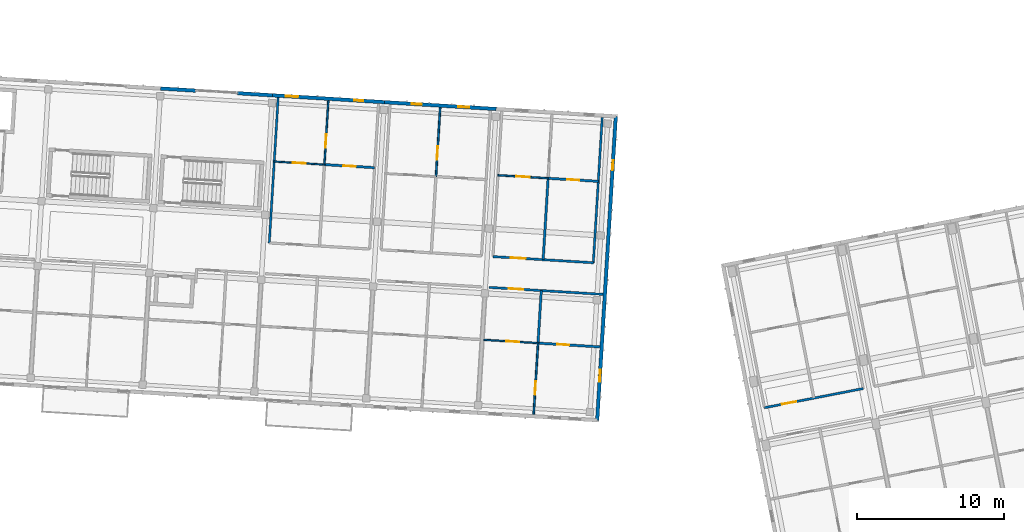
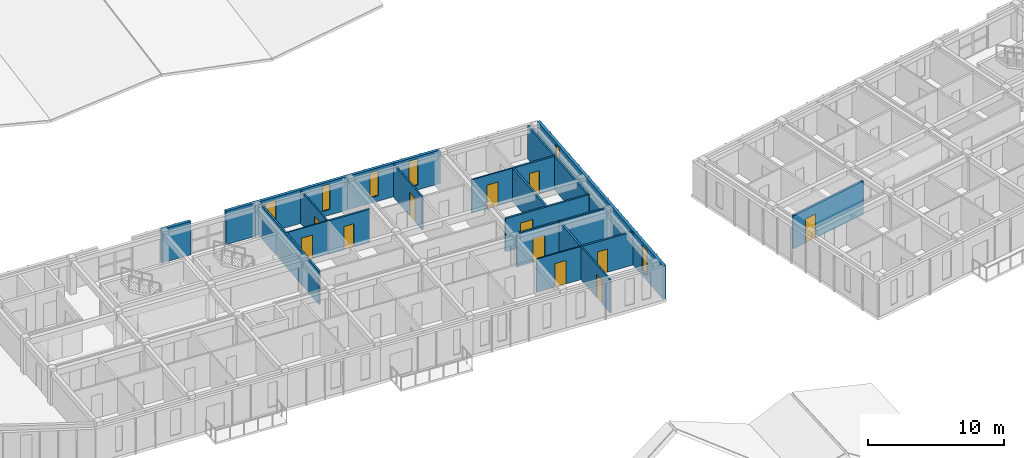
# One storey, part 23 of 74: 21 walls, 12 doors, 6 windows, 18 openings.
"""IFC4 building model written with IfcOpenShell, lengths in metres."""

from ifc_helpers import new_model, si_unit, direction, frame, frame_2d, origin, place, context, subcontext, project, spatial, rectangle, extrude, material, layer, layer_set, type_object, element, fill, save


model = new_model("IFC4")

# Units and contexts
model_context = context("Model", 3, precision=1e-05, world=origin(), true_north=direction((0.0, 1.0)))
body_context = subcontext(model_context, "Body", "Model", "MODEL_VIEW")
ifc_project = project(units=[si_unit("LENGTHUNIT", "METRE"), si_unit("AREAUNIT", "SQUARE_METRE"), si_unit("VOLUMEUNIT", "CUBIC_METRE"), si_unit("PLANEANGLEUNIT", "RADIAN"), si_unit("MASSUNIT", "GRAM", prefix="KILO")], contexts=[model_context])

# Site, building, storey
site_placement = place(None, origin())
site = spatial("IfcSite", under=ifc_project, at=site_placement, CompositionType="ELEMENT")
building_placement = place(site_placement, origin())
building = spatial("IfcBuilding", under=site, at=building_placement, Name="Kestramere Prow Commons", CompositionType="ELEMENT")
storey_placement = place(building_placement, frame((0.0, 0.0, 11.64990234375)))
storey = spatial("IfcBuildingStorey", under=building, at=storey_placement, Name="L03", CompositionType="ELEMENT", Elevation=11.64990234375)

# Walls
ifc_material_1 = material(Name="Fluoropolymer Standing-Seam Zinc-Aluminium Cladding", Category="aluminium")
ifc_layer_1 = layer(ifc_material_1, 0.239990234375)
ifc_layer_set_1 = layer_set([ifc_layer_1], Name="Fluoropolymer Standing-Seam Zinc-Aluminium Cladding")
wall_type_1 = type_object("IfcWallType", Name="EW-SEAM-240", PredefinedType="SOLIDWALL", material=ifc_layer_set_1)
for number, where, z_axis, x_axis, name in (
    (1, (75.900146484375, 65.659423828125, 0.0), (0.0, 0.0, 1.0), (0.998140363035, -0.06095749076, 0.0), "Block C L03 North Standing-Seam Pier 3L"),
    (2, (81.115478515625, 65.340576171875, 0.0), (0.0, 0.0, 1.0), (0.998134103342, -0.061059902923, 0.0), "Block C L03 North Standing-Seam Pier 3R"),
):
    element("IfcWall", number, at=place(storey_placement, frame(where, z_axis=z_axis, x_axis=x_axis)), inside=storey, type_object=wall_type_1, Name=name, PredefinedType="SOLIDWALL", context=body_context, shape_type="SweptSolid", body=[
        extrude(rectangle(XDim=2.375, YDim=0.239990234375, at=frame_2d((1.1875, 0.0))), origin(), (0.0, 0.0, 1.0), 3.0),
    ])

# Wall, openings, windows
wall_1_placement = place(storey_placement, frame((83.486083984375, 65.195556640625, 0.0), z_axis=(0.0, 0.0, 1.0), x_axis=(0.998135669243, -0.061034300063, 0.0)))
wall_1 = element("IfcWall", 3, at=wall_1_placement, inside=storey, type_object=wall_type_1, Name="Block C L03 North Standing-Seam Wall 4", PredefinedType="SOLIDWALL", context=body_context, shape_type="SweptSolid", body=[
    extrude(rectangle(XDim=7.60009765625, YDim=0.239990234375, at=frame_2d((3.800048828125, 0.0))), origin(), (0.0, 0.0, 1.0), 3.0),
])
opening_1_placement = place(wall_1_placement, frame((0.8896484375, 0.0, 0.43994140625)))
opening_1 = element("IfcOpeningElement", 4, at=opening_1_placement, cuts=wall_1, Name="Opening WN-14", PredefinedType="OPENING", context=body_context, shape_type="SweptSolid", body=[
    extrude(rectangle(XDim=0.840087890625, YDim=2.280029296875, at=frame_2d((0.419921875, 1.14013671875))), frame((0.0, 0.135009765625, 0.0), z_axis=(0.0, -1.0, 0.0), x_axis=(1.0, 0.0, 0.0)), (0.0, 0.0, 1.0), 0.27001953125),
])
opening_2_placement = place(wall_1_placement, frame((5.5458984375, 0.0, 0.5)))
opening_2 = element("IfcOpeningElement", 5, at=opening_2_placement, cuts=wall_1, Name="Opening WN-03", PredefinedType="OPENING", context=body_context, shape_type="SweptSolid", body=[
    extrude(rectangle(XDim=0.6201171875, YDim=2.280029296875, at=frame_2d((0.31005859375, 1.14013671875))), frame((0.0, 0.135009765625, 0.0), z_axis=(0.0, -1.0, 0.0), x_axis=(1.0, 0.0, 0.0)), (0.0, 0.0, 1.0), 0.27001953125),
])
ifc_material_2 = material(Name="Low-E Laminated Double Glazing", Category="glass")
window_type_1 = type_object("IfcWindowType", Name="WN-NAR-620A", PartitioningType="SINGLE_PANEL", PredefinedType="WINDOW", material=ifc_material_2)
window_1_placement = place(opening_2_placement, origin())
window_1 = element("IfcWindow", 6, at=window_1_placement, inside=storey, type_object=window_type_1, Name="WN-C-L03-N-3-1", OverallHeight=2.280029296875, OverallWidth=0.6201171875, PartitioningType="SINGLE_PANEL", PredefinedType="WINDOW", context=body_context, shape_type="SweptSolid", body=[
    extrude(rectangle(XDim=0.6201171875, YDim=2.280029296875, at=frame_2d((0.31005859375, 1.14013671875))), frame((0.0, 0.030029296875, 0.0), z_axis=(0.0, -1.0, 0.0), x_axis=(1.0, 0.0, 0.0)), (0.0, 0.0, 1.0), 0.06005859375),
])
fill(opening_2, window_1)
window_type_2 = type_object("IfcWindowType", Name="WN-NAR-840A", PartitioningType="DOUBLE_PANEL_VERTICAL", PredefinedType="WINDOW", material=ifc_material_2)
window_2_placement = place(opening_1_placement, origin())
window_2 = element("IfcWindow", 7, at=window_2_placement, inside=storey, type_object=window_type_2, Name="WN-C-L03-N-3-0", OverallHeight=2.280029296875, OverallWidth=0.840087890625, PartitioningType="SINGLE_PANEL", PredefinedType="WINDOW", context=body_context, shape_type="SweptSolid", body=[
    extrude(rectangle(XDim=0.840087890625, YDim=2.280029296875, at=frame_2d((0.419921875, 1.14013671875))), frame((0.0, 0.030029296875, 0.0), z_axis=(0.0, -1.0, 0.0), x_axis=(1.0, 0.0, 0.0)), (0.0, 0.0, 1.0), 0.06005859375),
])
fill(opening_1, window_2)

wall_2_placement = place(storey_placement, frame((91.072021484375, 64.731689453125, 0.0), z_axis=(0.0, 0.0, 1.0), x_axis=(0.998133591969, -0.061068261669, 0.0)))
wall_2 = element("IfcWall", 8, at=wall_2_placement, inside=storey, type_object=wall_type_1, Name="Block C L03 North Standing-Seam Wall 5", PredefinedType="SOLIDWALL", context=body_context, shape_type="SweptSolid", body=[
    extrude(rectangle(XDim=7.599853515625, YDim=0.239990234375, at=frame_2d((3.7998046875, 0.0))), origin(), (0.0, 0.0, 1.0), 3.0),
])
opening_3_placement = place(wall_2_placement, frame((1.854248046875, 0.0, 0.5)))
opening_3 = element("IfcOpeningElement", 9, at=opening_3_placement, cuts=wall_2, Name="Opening WN-06", PredefinedType="OPENING", context=body_context, shape_type="SweptSolid", body=[
    extrude(rectangle(XDim=0.679931640625, YDim=2.239990234375, at=frame_2d((0.33984375, 1.1201171875))), frame((0.0, 0.135009765625, 0.0), z_axis=(0.0, -1.0, 0.0), x_axis=(1.0, 0.0, 0.0)), (0.0, 0.0, 1.0), 0.27001953125),
])
opening_4_placement = place(wall_2_placement, frame((5.017578125, 0.0, 0.43994140625)))
opening_4 = element("IfcOpeningElement", 10, at=opening_4_placement, cuts=wall_2, Name="Opening WN-10", PredefinedType="OPENING", context=body_context, shape_type="SweptSolid", body=[
    extrude(rectangle(XDim=0.760009765625, YDim=2.340087890625, at=frame_2d((0.3798828125, 1.169921875))), frame((0.0, 0.135009765625, 0.0), z_axis=(0.0, -1.0, 0.0), x_axis=(1.0, 0.0, 0.0)), (0.0, 0.0, 1.0), 0.27001953125),
])
window_type_3 = type_object("IfcWindowType", Name="WN-NAR-680A", PartitioningType="SINGLE_PANEL", PredefinedType="WINDOW", material=ifc_material_2)
window_3_placement = place(opening_3_placement, origin())
window_3 = element("IfcWindow", 11, at=window_3_placement, inside=storey, type_object=window_type_3, Name="WN-C-L03-N-4-0", OverallHeight=2.239990234375, OverallWidth=0.679931640625, PartitioningType="SINGLE_PANEL", PredefinedType="WINDOW", context=body_context, shape_type="SweptSolid", body=[
    extrude(rectangle(XDim=0.679931640625, YDim=2.239990234375, at=frame_2d((0.33984375, 1.1201171875))), frame((0.0, 0.030029296875, 0.0), z_axis=(0.0, -1.0, 0.0), x_axis=(1.0, 0.0, 0.0)), (0.0, 0.0, 1.0), 0.06005859375),
])
fill(opening_3, window_3)
window_type_4 = type_object("IfcWindowType", Name="WN-NAR-760A", PartitioningType="SINGLE_PANEL", PredefinedType="WINDOW", material=ifc_material_2)
window_4_placement = place(opening_4_placement, origin())
window_4 = element("IfcWindow", 12, at=window_4_placement, inside=storey, type_object=window_type_4, Name="WN-C-L03-N-4-1", OverallHeight=2.340087890625, OverallWidth=0.760009765625, PartitioningType="SINGLE_PANEL", PredefinedType="WINDOW", context=body_context, shape_type="SweptSolid", body=[
    extrude(rectangle(XDim=0.760009765625, YDim=2.340087890625, at=frame_2d((0.3798828125, 1.169921875))), frame((0.0, 0.030029296875, 0.0), z_axis=(0.0, -1.0, 0.0), x_axis=(1.0, 0.0, 0.0)), (0.0, 0.0, 1.0), 0.06005859375),
])
fill(opening_4, window_4)

wall_3_placement = place(storey_placement, frame((106.767578125, 63.771484375, 0.0), z_axis=(0.0, 0.0, 1.0), x_axis=(-0.061053332998, -0.99813450523, 0.0)))
wall_3 = element("IfcWall", 13, at=wall_3_placement, inside=storey, type_object=wall_type_1, Name="Block C L03 EAV Facet Wall", PredefinedType="SOLIDWALL", context=body_context, shape_type="SweptSolid", body=[
    extrude(rectangle(XDim=20.64990234375, YDim=0.239990234375, at=frame_2d((10.324951171875, 0.0))), origin(), (0.0, 0.0, 1.0), 3.0),
])
opening_5_placement = place(wall_3_placement, frame((2.989990234375, 0.0, 0.52001953125)))
opening_5 = element("IfcOpeningElement", 14, at=opening_5_placement, cuts=wall_3, Name="Opening WN-05", PredefinedType="OPENING", context=body_context, shape_type="SweptSolid", body=[
    extrude(rectangle(XDim=0.659912109375, YDim=2.320068359375, at=frame_2d((0.330078125, 1.16015625))), frame((0.0, 0.135009765625, 0.0), z_axis=(0.0, -1.0, 0.0), x_axis=(1.0, 0.0, 0.0)), (0.0, 0.0, 1.0), 0.27001953125),
])
opening_6_placement = place(wall_3_placement, frame((17.219970703125, 0.0, 0.449951171875)))
opening_6 = element("IfcOpeningElement", 15, at=opening_6_placement, cuts=wall_3, Name="Opening WN-12", PredefinedType="OPENING", context=body_context, shape_type="SweptSolid", body=[
    extrude(rectangle(XDim=0.800048828125, YDim=2.300048828125, at=frame_2d((0.39990234375, 1.14990234375))), frame((0.0, 0.135009765625, 0.0), z_axis=(0.0, -1.0, 0.0), x_axis=(1.0, 0.0, 0.0)), (0.0, 0.0, 1.0), 0.27001953125),
])
window_type_5 = type_object("IfcWindowType", Name="WN-NAR-660A", PartitioningType="SINGLE_PANEL", PredefinedType="WINDOW", material=ifc_material_2)
window_5_placement = place(opening_5_placement, origin())
window_5 = element("IfcWindow", 16, at=window_5_placement, inside=storey, type_object=window_type_5, Name="WN-C-L03-EAV-0", OverallHeight=2.320068359375, OverallWidth=0.659912109375, PartitioningType="SINGLE_PANEL", PredefinedType="WINDOW", context=body_context, shape_type="SweptSolid", body=[
    extrude(rectangle(XDim=0.659912109375, YDim=2.320068359375, at=frame_2d((0.330078125, 1.16015625))), frame((0.0, 0.030029296875, 0.0), z_axis=(0.0, -1.0, 0.0), x_axis=(1.0, 0.0, 0.0)), (0.0, 0.0, 1.0), 0.06005859375),
])
fill(opening_5, window_5)
window_type_6 = type_object("IfcWindowType", Name="WN-NAR-800A", PartitioningType="SINGLE_PANEL", PredefinedType="WINDOW", material=ifc_material_2)
window_6_placement = place(opening_6_placement, origin())
window_6 = element("IfcWindow", 17, at=window_6_placement, inside=storey, type_object=window_type_6, Name="WN-C-L03-EAV-1", OverallHeight=2.300048828125, OverallWidth=0.800048828125, PartitioningType="SINGLE_PANEL", PredefinedType="WINDOW", context=body_context, shape_type="SweptSolid", body=[
    extrude(rectangle(XDim=0.800048828125, YDim=2.300048828125, at=frame_2d((0.39990234375, 1.14990234375))), frame((0.0, 0.030029296875, 0.0), z_axis=(0.0, -1.0, 0.0), x_axis=(1.0, 0.0, 0.0)), (0.0, 0.0, 1.0), 0.06005859375),
])
fill(opening_6, window_6)

# Wall, opening, door
ifc_material_3 = material(Name="Fire-Rated Calcium Silicate Wall")
ifc_layer_2 = layer(ifc_material_3, 0.155029296875)
ifc_layer_set_2 = layer_set([ifc_layer_2], Name="Fire-Rated Calcium Silicate Wall")
wall_type_2 = type_object("IfcWallType", Name="W-FIRE-150", PredefinedType="PARTITIONING", material=ifc_layer_set_2)
wall_4_placement = place(storey_placement, frame((98.17822265625, 52.16943359375, 0.0), z_axis=(0.0, 0.0, 1.0), x_axis=(0.998133272394, -0.061073484761, 0.0)))
wall_4 = element("IfcWall", 18, at=wall_4_placement, inside=storey, type_object=wall_type_2, Name="Interior Partition PW-C-L03-CS-5", PredefinedType="PARTITIONING", context=body_context, shape_type="SweptSolid", body=[
    extrude(rectangle(XDim=7.735107421875, YDim=0.155029296875, at=frame_2d((3.86767578125, 0.0))), origin(), (0.0, 0.0, 1.0), 2.97021484375),
])
opening_7_placement = place(wall_4_placement, frame((1.330078125, 0.0, 0.0)))
opening_7 = element("IfcOpeningElement", 19, at=opening_7_placement, cuts=wall_4, Name="Opening ID-04", PredefinedType="OPENING", context=body_context, shape_type="SweptSolid", body=[
    extrude(rectangle(XDim=0.97998046875, YDim=2.14990234375, at=frame_2d((0.489990234375, 1.074951171875))), frame((0.0, 0.092529296875, 0.0), z_axis=(0.0, -1.0, 0.0), x_axis=(1.0, 0.0, 0.0)), (0.0, 0.0, 1.0), 0.18505859375),
])
ifc_material_4 = material(Name="Hardwood Fire-Rated Flat Entrance Door", Category="wood")
door_type_1 = type_object("IfcDoorType", Name="FD-ENT-01", OperationType="NOTDEFINED", PredefinedType="DOOR", material=ifc_material_4)
door_1_placement = place(opening_7_placement, origin())
door_1 = element("IfcDoor", 20, at=door_1_placement, inside=storey, type_object=door_type_1, Name="Interior Door DR-C-L03-ENT-S5", OperationType="SINGLE_SWING_LEFT", OverallHeight=2.14990234375, OverallWidth=0.97998046875, PredefinedType="DOOR", context=body_context, shape_type="SweptSolid", body=[
    extrude(rectangle(XDim=0.97998046875, YDim=2.14990234375, at=frame_2d((0.489990234375, 1.074951171875))), frame((0.0, 0.02490234375, 0.0), z_axis=(0.0, -1.0, 0.0), x_axis=(1.0, 0.0, 0.0)), (0.0, 0.0, 1.0), 0.050048828125),
])
fill(opening_7, door_1)

wall_5_placement = place(storey_placement, frame((98.436279296875, 54.257568359375, 0.0), z_axis=(0.0, 0.0, 1.0), x_axis=(0.998133350094, -0.061072214879, 0.0)))
wall_5 = element("IfcWall", 21, at=wall_5_placement, inside=storey, type_object=wall_type_2, Name="Interior Partition PW-C-L03-CN-5", PredefinedType="PARTITIONING", context=body_context, shape_type="SweptSolid", body=[
    extrude(rectangle(XDim=6.81982421875, YDim=0.155029296875, at=frame_2d((3.409912109375, 0.0))), origin(), (0.0, 0.0, 1.0), 2.97021484375),
])
opening_8_placement = place(wall_5_placement, frame((1.205078125, 0.0, 0.0)))
opening_8 = element("IfcOpeningElement", 22, at=opening_8_placement, cuts=wall_5, Name="Opening ID-05", PredefinedType="OPENING", context=body_context, shape_type="SweptSolid", body=[
    extrude(rectangle(XDim=1.02001953125, YDim=2.199951171875, at=frame_2d((0.510009765625, 1.10009765625))), frame((0.0, 0.092529296875, 0.0), z_axis=(0.0, -1.0, 0.0), x_axis=(1.0, 0.0, 0.0)), (0.0, 0.0, 1.0), 0.18505859375),
])
door_type_2 = type_object("IfcDoorType", Name="FD-ENT-02", OperationType="NOTDEFINED", PredefinedType="DOOR", material=ifc_material_4)
door_2_placement = place(opening_8_placement, origin())
door_2 = element("IfcDoor", 23, at=door_2_placement, inside=storey, type_object=door_type_2, Name="Interior Door DR-C-L03-ENT-N5", OperationType="SINGLE_SWING_RIGHT", OverallHeight=2.199951171875, OverallWidth=1.02001953125, PredefinedType="DOOR", context=body_context, shape_type="SweptSolid", body=[
    extrude(rectangle(XDim=1.02001953125, YDim=2.199951171875, at=frame_2d((0.510009765625, 1.10009765625))), frame((0.0, 0.02490234375, 0.0), z_axis=(0.0, -1.0, 0.0), x_axis=(1.0, 0.0, 0.0)), (0.0, 0.0, 1.0), 0.050048828125),
])
fill(opening_8, door_2)

wall_6_placement = place(storey_placement, frame((116.851806640625, 44.008544921875, 0.0), z_axis=(0.0, 0.0, 1.0), x_axis=(0.981629173664, 0.190798756314, 0.0)))
wall_6 = element("IfcWall", 24, at=wall_6_placement, inside=storey, type_object=wall_type_2, Name="Interior Partition PW-D-L03-CN-0", PredefinedType="PARTITIONING", context=body_context, shape_type="SweptSolid", body=[
    extrude(rectangle(XDim=6.820068359375, YDim=0.155029296875, at=frame_2d((3.41015625, 0.0))), origin(), (0.0, 0.0, 1.0), 2.97021484375),
])
opening_9_placement = place(wall_6_placement, frame((1.205078125, 0.0, 0.0)))
opening_9 = element("IfcOpeningElement", 25, at=opening_9_placement, cuts=wall_6, Name="Opening ID-04", PredefinedType="OPENING", context=body_context, shape_type="SweptSolid", body=[
    extrude(rectangle(XDim=0.97998046875, YDim=2.14990234375, at=frame_2d((0.489990234375, 1.074951171875))), frame((0.0, 0.092529296875, 0.0), z_axis=(0.0, -1.0, 0.0), x_axis=(1.0, 0.0, 0.0)), (0.0, 0.0, 1.0), 0.18505859375),
])
door_3_placement = place(opening_9_placement, origin())
door_3 = element("IfcDoor", 26, at=door_3_placement, inside=storey, type_object=door_type_1, Name="Interior Door DR-D-L03-ENT-N0", OperationType="SINGLE_SWING_RIGHT", OverallHeight=2.14990234375, OverallWidth=0.97998046875, PredefinedType="DOOR", context=body_context, shape_type="SweptSolid", body=[
    extrude(rectangle(XDim=0.97998046875, YDim=2.14990234375, at=frame_2d((0.489990234375, 1.074951171875))), frame((0.0, 0.02490234375, 0.0), z_axis=(0.0, -1.0, 0.0), x_axis=(1.0, 0.0, 0.0)), (0.0, 0.0, 1.0), 0.050048828125),
])
fill(opening_9, door_3)

ifc_material_5 = material(Name="Gypsum Acoustic Drywall")
ifc_layer_3 = layer(ifc_material_5, 0.10009765625)
ifc_layer_set_3 = layer_set([ifc_layer_3], Name="Gypsum Acoustic Drywall")
wall_type_3 = type_object("IfcWallType", Name="W-PART-100", PredefinedType="PARTITIONING", material=ifc_layer_set_3)
wall_7_placement = place(storey_placement, frame((97.815673828125, 48.61474609375, 0.0), z_axis=(0.0, 0.0, 1.0), x_axis=(0.998136472989, -0.061021154439, 0.0)))
wall_7 = element("IfcWall", 27, at=wall_7_placement, inside=storey, type_object=wall_type_3, Name="Interior Partition PW-C-L03-MIDS1-5", PredefinedType="PARTITIONING", context=body_context, shape_type="SweptSolid", body=[
    extrude(rectangle(XDim=3.684814453125, YDim=0.10009765625, at=frame_2d((1.84228515625, 0.0))), origin(), (0.0, 0.0, 1.0), 2.97021484375),
])
opening_10_placement = place(wall_7_placement, frame((1.52490234375, 0.0, 0.0)))
opening_10 = element("IfcOpeningElement", 28, at=opening_10_placement, cuts=wall_7, Name="Opening ID-10", PredefinedType="OPENING", context=body_context, shape_type="SweptSolid", body=[
    extrude(rectangle(XDim=0.8798828125, YDim=2.10009765625, at=frame_2d((0.43994140625, 1.050048828125))), frame((0.0, 0.06494140625, 0.0), z_axis=(0.0, -1.0, 0.0), x_axis=(1.0, 0.0, 0.0)), (0.0, 0.0, 1.0), 0.130126953125),
])
ifc_material_6 = material(Name="Engineered Timber Bedroom Door", Category="wood")
door_type_3 = type_object("IfcDoorType", Name="D-RM-03", OperationType="NOTDEFINED", PredefinedType="DOOR", material=ifc_material_6)
door_4_placement = place(opening_10_placement, origin())
door_4 = element("IfcDoor", 29, at=door_4_placement, inside=storey, type_object=door_type_3, Name="Interior Door DR-C-L03-KL-S5", OperationType="SINGLE_SWING_RIGHT", OverallHeight=2.10009765625, OverallWidth=0.8798828125, PredefinedType="DOOR", context=body_context, shape_type="SweptSolid", body=[
    extrude(rectangle(XDim=0.8798828125, YDim=2.10009765625, at=frame_2d((0.43994140625, 1.050048828125))), frame((0.0, 0.02490234375, 0.0), z_axis=(0.0, -1.0, 0.0), x_axis=(1.0, 0.0, 0.0)), (0.0, 0.0, 1.0), 0.050048828125),
])
fill(opening_10, door_4)

ifc_layer_4 = layer(ifc_material_5, 0.110107421875)
ifc_layer_set_4 = layer_set([ifc_layer_4], Name="Gypsum Acoustic Drywall")
wall_type_4 = type_object("IfcWallType", Name="W-PART-110", PredefinedType="PARTITIONING", material=ifc_layer_set_4)
wall_8_placement = place(storey_placement, frame((87.005859375, 60.496826171875, 0.0), z_axis=(0.0, 0.0, 1.0), x_axis=(0.06103343432, 0.998135722182, 0.0)))
wall_8 = element("IfcWall", 30, at=wall_8_placement, inside=storey, type_object=wall_type_4, Name="Interior Partition PW-C-L03-LB-N3", PredefinedType="PARTITIONING", context=body_context, shape_type="SweptSolid", body=[
    extrude(rectangle(XDim=4.340087890625, YDim=0.110107421875, at=frame_2d((2.169921875, 0.0))), origin(), (0.0, 0.0, 1.0), 2.97021484375),
])
opening_11_placement = place(wall_8_placement, frame((1.14990234375, 0.0, 0.0)))
opening_11 = element("IfcOpeningElement", 31, at=opening_11_placement, cuts=wall_8, Name="Opening ID-08", PredefinedType="OPENING", context=body_context, shape_type="SweptSolid", body=[
    extrude(rectangle(XDim=0.89990234375, YDim=2.10009765625, at=frame_2d((0.449951171875, 1.050048828125))), frame((0.0, 0.070068359375, 0.0), z_axis=(0.0, -1.0, 0.0), x_axis=(1.0, 0.0, 0.0)), (0.0, 0.0, 1.0), 0.14013671875),
])
ifc_material_7 = material(Name="Engineered Timber Flush Door", Category="wood")
door_type_4 = type_object("IfcDoorType", Name="D-RM-01", OperationType="NOTDEFINED", PredefinedType="DOOR", material=ifc_material_7)
door_5_placement = place(opening_11_placement, origin())
door_5 = element("IfcDoor", 32, at=door_5_placement, inside=storey, type_object=door_type_4, Name="Interior Door DR-C-L03-BED-N3", OperationType="SINGLE_SWING_LEFT", OverallHeight=2.10009765625, OverallWidth=0.89990234375, PredefinedType="DOOR", context=body_context, shape_type="SweptSolid", body=[
    extrude(rectangle(XDim=0.89990234375, YDim=2.10009765625, at=frame_2d((0.449951171875, 1.050048828125))), frame((0.0, 0.02490234375, 0.0), z_axis=(0.0, -1.0, 0.0), x_axis=(1.0, 0.0, 0.0)), (0.0, 0.0, 1.0), 0.050048828125),
])
fill(opening_11, door_5)

wall_9_placement = place(storey_placement, frame((98.77392578125, 59.777099609375, 0.0), z_axis=(0.0, 0.0, 1.0), x_axis=(0.998137711988, -0.061000884486, 0.0)))
wall_9 = element("IfcWall", 33, at=wall_9_placement, inside=storey, type_object=wall_type_4, Name="Interior Partition PW-C-L03-MIDN1-5", PredefinedType="PARTITIONING", context=body_context, shape_type="SweptSolid", body=[
    extrude(rectangle(XDim=3.409912109375, YDim=0.110107421875, at=frame_2d((1.705078125, 0.0))), origin(), (0.0, 0.0, 1.0), 2.97021484375),
])
opening_12_placement = place(wall_9_placement, frame((1.2548828125, 0.0, 0.0)))
opening_12 = element("IfcOpeningElement", 34, at=opening_12_placement, cuts=wall_9, Name="Opening ID-08", PredefinedType="OPENING", context=body_context, shape_type="SweptSolid", body=[
    extrude(rectangle(XDim=0.89990234375, YDim=2.10009765625, at=frame_2d((0.449951171875, 1.050048828125))), frame((0.0, 0.070068359375, 0.0), z_axis=(0.0, -1.0, 0.0), x_axis=(1.0, 0.0, 0.0)), (0.0, 0.0, 1.0), 0.14013671875),
])
door_6_placement = place(opening_12_placement, origin())
door_6 = element("IfcDoor", 35, at=door_6_placement, inside=storey, type_object=door_type_4, Name="Interior Door DR-C-L03-KL-N5", OperationType="SINGLE_SWING_LEFT", OverallHeight=2.10009765625, OverallWidth=0.89990234375, PredefinedType="DOOR", context=body_context, shape_type="SweptSolid", body=[
    extrude(rectangle(XDim=0.89990234375, YDim=2.10009765625, at=frame_2d((0.449951171875, 1.050048828125))), frame((0.0, 0.02490234375, 0.0), z_axis=(0.0, -1.0, 0.0), x_axis=(1.0, 0.0, 0.0)), (0.0, 0.0, 1.0), 0.050048828125),
])
fill(opening_12, door_6)

ifc_material_8 = material(Name="Lightweight Blockwork and Plaster", Category="masonry")
ifc_layer_5 = layer(ifc_material_8, 0.1201171875)
ifc_layer_set_5 = layer_set([ifc_layer_5], Name="Lightweight Blockwork and Plaster")
wall_type_5 = type_object("IfcWallType", Name="W-PART-120", PredefinedType="PARTITIONING", material=ifc_layer_set_5)
wall_10_placement = place(storey_placement, frame((101.1982421875, 43.558837890625, 0.0), z_axis=(0.0, 0.0, 1.0), x_axis=(0.061034170677, 0.998135677155, 0.0)))
wall_10 = element("IfcWall", 36, at=wall_10_placement, inside=storey, type_object=wall_type_5, Name="Interior Partition PW-C-L03-LB-S5", PredefinedType="PARTITIONING", context=body_context, shape_type="SweptSolid", body=[
    extrude(rectangle(XDim=4.840087890625, YDim=0.1201171875, at=frame_2d((2.419921875, 0.0))), origin(), (0.0, 0.0, 1.0), 2.97021484375),
])
opening_13_placement = place(wall_10_placement, frame((1.35009765625, 0.0, 0.0)))
opening_13 = element("IfcOpeningElement", 37, at=opening_13_placement, cuts=wall_10, Name="Opening ID-08", PredefinedType="OPENING", context=body_context, shape_type="SweptSolid", body=[
    extrude(rectangle(XDim=0.89990234375, YDim=2.10009765625, at=frame_2d((0.449951171875, 1.050048828125))), frame((0.0, 0.074951171875, 0.0), z_axis=(0.0, -1.0, 0.0), x_axis=(1.0, 0.0, 0.0)), (0.0, 0.0, 1.0), 0.150146484375),
])
door_7_placement = place(opening_13_placement, origin())
door_7 = element("IfcDoor", 38, at=door_7_placement, inside=storey, type_object=door_type_4, Name="Interior Door DR-C-L03-BED-S5", OperationType="SINGLE_SWING_RIGHT", OverallHeight=2.10009765625, OverallWidth=0.89990234375, PredefinedType="DOOR", context=body_context, shape_type="SweptSolid", body=[
    extrude(rectangle(XDim=0.89990234375, YDim=2.10009765625, at=frame_2d((0.449951171875, 1.050048828125))), frame((0.0, 0.02490234375, 0.0), z_axis=(0.0, -1.0, 0.0), x_axis=(1.0, 0.0, 0.0)), (0.0, 0.0, 1.0), 0.050048828125),
])
fill(opening_13, door_7)

wall_11_placement = place(storey_placement, frame((94.5703125, 59.68359375, 0.0), z_axis=(0.0, 0.0, 1.0), x_axis=(0.061062434628, 0.998133948465, 0.0)))
wall_11 = element("IfcWall", 39, at=wall_11_placement, inside=storey, type_object=wall_type_5, Name="Interior Partition PW-C-L03-LB-N4", PredefinedType="PARTITIONING", context=body_context, shape_type="SweptSolid", body=[
    extrude(rectangle(XDim=4.68994140625, YDim=0.1201171875, at=frame_2d((2.344970703125, 0.0))), origin(), (0.0, 0.0, 1.0), 2.97021484375),
])
opening_14_placement = place(wall_11_placement, frame((1.14990234375, 0.0, 0.0)))
opening_14 = element("IfcOpeningElement", 40, at=opening_14_placement, cuts=wall_11, Name="Opening ID-08", PredefinedType="OPENING", context=body_context, shape_type="SweptSolid", body=[
    extrude(rectangle(XDim=0.89990234375, YDim=2.10009765625, at=frame_2d((0.449951171875, 1.050048828125))), frame((0.0, 0.074951171875, 0.0), z_axis=(0.0, -1.0, 0.0), x_axis=(1.0, 0.0, 0.0)), (0.0, 0.0, 1.0), 0.150146484375),
])
door_8_placement = place(opening_14_placement, origin())
door_8 = element("IfcDoor", 41, at=door_8_placement, inside=storey, type_object=door_type_4, Name="Interior Door DR-C-L03-BED-N4", OperationType="SINGLE_SWING_LEFT", OverallHeight=2.10009765625, OverallWidth=0.89990234375, PredefinedType="DOOR", context=body_context, shape_type="SweptSolid", body=[
    extrude(rectangle(XDim=0.89990234375, YDim=2.10009765625, at=frame_2d((0.449951171875, 1.050048828125))), frame((0.0, 0.02490234375, 0.0), z_axis=(0.0, -1.0, 0.0), x_axis=(1.0, 0.0, 0.0)), (0.0, 0.0, 1.0), 0.050048828125),
])
fill(opening_14, door_8)

# Walls
ifc_material_9 = material(Name="Masonry Compartment Wall", Category="masonry")
ifc_layer_6 = layer(ifc_material_9, 0.14990234375)
ifc_layer_set_6 = layer_set([ifc_layer_6], Name="Masonry Compartment Wall")
wall_type_6 = type_object("IfcWallType", Name="W-PART-150", PredefinedType="PARTITIONING", material=ifc_layer_set_6)
wall_12_placement = place(storey_placement, frame((83.2646484375, 55.185302734375, 0.0), z_axis=(0.0, 0.0, 1.0), x_axis=(0.061046193261, 0.998134941923, 0.0)))
element("IfcWall", 42, at=wall_12_placement, inside=storey, type_object=wall_type_6, Name="Interior Partition PW-C-L03-NWL-3", PredefinedType="PARTITIONING", context=body_context, shape_type="SweptSolid", body=[
    extrude(rectangle(XDim=9.8701171875, YDim=0.14990234375, at=frame_2d((4.93505859375, 0.0))), origin(), (0.0, 0.0, 1.0), 2.97021484375),
])
wall_13_placement = place(storey_placement, frame((105.243408203125, 53.841064453125, 0.0), z_axis=(0.0, 0.0, 1.0), x_axis=(0.061047700465, 0.998134849741, 0.0)))
element("IfcWall", 43, at=wall_13_placement, inside=storey, type_object=wall_type_6, Name="Interior Partition PW-C-L03-NWR-5", PredefinedType="PARTITIONING", context=body_context, shape_type="SweptSolid", body=[
    extrude(rectangle(XDim=9.869873046875, YDim=0.14990234375, at=frame_2d((4.93505859375, 0.0))), origin(), (0.0, 0.0, 1.0), 2.97021484375),
])

# Wall, opening, door
ifc_layer_7 = layer(ifc_material_5, 0.094970703125)
ifc_layer_set_7 = layer_set([ifc_layer_7], Name="Gypsum Acoustic Drywall")
wall_type_7 = type_object("IfcWallType", Name="W-PART-95", PredefinedType="PARTITIONING", material=ifc_layer_set_7)
wall_14_placement = place(storey_placement, frame((83.60205078125, 60.705078125, 0.0), z_axis=(0.0, 0.0, 1.0), x_axis=(0.998133617109, -0.061067850767, 0.0)))
wall_14 = element("IfcWall", 44, at=wall_14_placement, inside=storey, type_object=wall_type_7, Name="Interior Partition PW-C-L03-MIDN1-3", PredefinedType="PARTITIONING", context=body_context, shape_type="SweptSolid", body=[
    extrude(rectangle(XDim=3.41015625, YDim=0.094970703125, at=frame_2d((1.705078125, 0.0))), origin(), (0.0, 0.0, 1.0), 2.97021484375),
])
opening_15_placement = place(wall_14_placement, frame((1.2548828125, 0.0, 0.0)))
opening_15 = element("IfcOpeningElement", 45, at=opening_15_placement, cuts=wall_14, Name="Opening ID-08", PredefinedType="OPENING", context=body_context, shape_type="SweptSolid", body=[
    extrude(rectangle(XDim=0.89990234375, YDim=2.10009765625, at=frame_2d((0.449951171875, 1.050048828125))), frame((0.0, 0.0625, 0.0), z_axis=(0.0, -1.0, 0.0), x_axis=(1.0, 0.0, 0.0)), (0.0, 0.0, 1.0), 0.125),
])
door_9_placement = place(opening_15_placement, origin())
door_9 = element("IfcDoor", 46, at=door_9_placement, inside=storey, type_object=door_type_4, Name="Interior Door DR-C-L03-KL-N3", OperationType="SINGLE_SWING_LEFT", OverallHeight=2.10009765625, OverallWidth=0.89990234375, PredefinedType="DOOR", context=body_context, shape_type="SweptSolid", body=[
    extrude(rectangle(XDim=0.89990234375, YDim=2.10009765625, at=frame_2d((0.449951171875, 1.050048828125))), frame((0.0, 0.02490234375, 0.0), z_axis=(0.0, -1.0, 0.0), x_axis=(1.0, 0.0, 0.0)), (0.0, 0.0, 1.0), 0.050048828125),
])
fill(opening_15, door_9)

ifc_material_10 = material(Name="Waterproof Sanitary Masonry Wall", Category="masonry")
ifc_layer_8 = layer(ifc_material_10, 0.1650390625)
ifc_layer_set_8 = layer_set([ifc_layer_8], Name="Waterproof Sanitary Masonry Wall")
wall_type_8 = type_object("IfcWallType", Name="W-PLUMB-150", PredefinedType="PLUMBINGWALL", material=ifc_layer_set_8)
wall_15_placement = place(storey_placement, frame((101.49365234375, 48.389892578125, 0.0), z_axis=(0.0, 0.0, 1.0), x_axis=(0.99813479877, -0.061048533841, 0.0)))
wall_15 = element("IfcWall", 47, at=wall_15_placement, inside=storey, type_object=wall_type_8, Name="Interior Partition PW-C-L03-MIDS2-5", PredefinedType="PLUMBINGWALL", context=body_context, shape_type="SweptSolid", body=[
    extrude(rectangle(XDim=4.195068359375, YDim=0.1650390625, at=frame_2d((2.09765625, 0.0))), origin(), (0.0, 0.0, 1.0), 2.97021484375),
])
opening_16_placement = place(wall_15_placement, frame((1.300048828125, 0.0, 0.0)))
opening_16 = element("IfcOpeningElement", 48, at=opening_16_placement, cuts=wall_15, Name="Opening ID-11", PredefinedType="OPENING", context=body_context, shape_type="SweptSolid", body=[
    extrude(rectangle(XDim=0.820068359375, YDim=2.080078125, at=frame_2d((0.41015625, 1.0400390625))), frame((0.0, 0.097412109375, 0.0), z_axis=(0.0, -1.0, 0.0), x_axis=(1.0, 0.0, 0.0)), (0.0, 0.0, 1.0), 0.195068359375),
])
ifc_material_11 = material(Name="Moisture-Resistant Timber Bathroom Door", Category="wood")
door_type_5 = type_object("IfcDoorType", Name="D-BT-01", OperationType="NOTDEFINED", PredefinedType="DOOR", material=ifc_material_11)
door_10_placement = place(opening_16_placement, origin())
door_10 = element("IfcDoor", 49, at=door_10_placement, inside=storey, type_object=door_type_5, Name="Interior Door DR-C-L03-BTH-S5", OperationType="SINGLE_SWING_LEFT", OverallHeight=2.080078125, OverallWidth=0.820068359375, PredefinedType="DOOR", context=body_context, shape_type="SweptSolid", body=[
    extrude(rectangle(XDim=0.820068359375, YDim=2.080078125, at=frame_2d((0.41015625, 1.0400390625))), frame((0.0, 0.02490234375, 0.0), z_axis=(0.0, -1.0, 0.0), x_axis=(1.0, 0.0, 0.0)), (0.0, 0.0, 1.0), 0.050048828125),
])
fill(opening_16, door_10)

# Wall
wall_16_placement = place(storey_placement, frame((101.49365234375, 48.389892578125, 0.0), z_axis=(0.0, 0.0, 1.0), x_axis=(0.061071129902, 0.998133416479, 0.0)))
element("IfcWall", 50, at=wall_16_placement, inside=storey, type_object=wall_type_8, Name="Interior Partition PW-C-L03-KB-S5", PredefinedType="PLUMBINGWALL", context=body_context, shape_type="SweptSolid", body=[
    extrude(rectangle(XDim=3.56982421875, YDim=0.1650390625, at=frame_2d((1.784912109375, 0.0))), origin(), (0.0, 0.0, 1.0), 2.97021484375),
])

# Wall, opening, door
wall_17_placement = place(storey_placement, frame((87.005859375, 60.496826171875, 0.0), z_axis=(0.0, 0.0, 1.0), x_axis=(0.998137711988, -0.061000884486, 0.0)))
wall_17 = element("IfcWall", 51, at=wall_17_placement, inside=storey, type_object=wall_type_8, Name="Interior Partition PW-C-L03-MIDN2-3", PredefinedType="PLUMBINGWALL", context=body_context, shape_type="SweptSolid", body=[
    extrude(rectangle(XDim=3.409912109375, YDim=0.1650390625, at=frame_2d((1.705078125, 0.0))), origin(), (0.0, 0.0, 1.0), 2.97021484375),
])
opening_17_placement = place(wall_17_placement, frame((1.294921875, 0.0, 0.0)))
opening_17 = element("IfcOpeningElement", 52, at=opening_17_placement, cuts=wall_17, Name="Opening ID-11", PredefinedType="OPENING", context=body_context, shape_type="SweptSolid", body=[
    extrude(rectangle(XDim=0.820068359375, YDim=2.080078125, at=frame_2d((0.41015625, 1.0400390625))), frame((0.0, 0.097412109375, 0.0), z_axis=(0.0, -1.0, 0.0), x_axis=(1.0, 0.0, 0.0)), (0.0, 0.0, 1.0), 0.195068359375),
])
door_11_placement = place(opening_17_placement, origin())
door_11 = element("IfcDoor", 53, at=door_11_placement, inside=storey, type_object=door_type_5, Name="Interior Door DR-C-L03-BTH-N3", OperationType="SINGLE_SWING_RIGHT", OverallHeight=2.080078125, OverallWidth=0.820068359375, PredefinedType="DOOR", context=body_context, shape_type="SweptSolid", body=[
    extrude(rectangle(XDim=0.820068359375, YDim=2.080078125, at=frame_2d((0.41015625, 1.0400390625))), frame((0.0, 0.02490234375, 0.0), z_axis=(0.0, -1.0, 0.0), x_axis=(1.0, 0.0, 0.0)), (0.0, 0.0, 1.0), 0.050048828125),
])
fill(opening_17, door_11)

wall_18_placement = place(storey_placement, frame((102.177490234375, 59.569091796875, 0.0), z_axis=(0.0, 0.0, 1.0), x_axis=(0.998133350094, -0.061072214879, 0.0)))
wall_18 = element("IfcWall", 54, at=wall_18_placement, inside=storey, type_object=wall_type_8, Name="Interior Partition PW-C-L03-MIDN2-5", PredefinedType="PLUMBINGWALL", context=body_context, shape_type="SweptSolid", body=[
    extrude(rectangle(XDim=3.409912109375, YDim=0.1650390625, at=frame_2d((1.705078125, 0.0))), origin(), (0.0, 0.0, 1.0), 2.97021484375),
])
opening_18_placement = place(wall_18_placement, frame((1.294921875, 0.0, 0.0)))
opening_18 = element("IfcOpeningElement", 55, at=opening_18_placement, cuts=wall_18, Name="Opening ID-11", PredefinedType="OPENING", context=body_context, shape_type="SweptSolid", body=[
    extrude(rectangle(XDim=0.820068359375, YDim=2.080078125, at=frame_2d((0.41015625, 1.0400390625))), frame((0.0, 0.097412109375, 0.0), z_axis=(0.0, -1.0, 0.0), x_axis=(1.0, 0.0, 0.0)), (0.0, 0.0, 1.0), 0.195068359375),
])
door_12_placement = place(opening_18_placement, origin())
door_12 = element("IfcDoor", 56, at=door_12_placement, inside=storey, type_object=door_type_5, Name="Interior Door DR-C-L03-BTH-N5", OperationType="SINGLE_SWING_RIGHT", OverallHeight=2.080078125, OverallWidth=0.820068359375, PredefinedType="DOOR", context=body_context, shape_type="SweptSolid", body=[
    extrude(rectangle(XDim=0.820068359375, YDim=2.080078125, at=frame_2d((0.41015625, 1.0400390625))), frame((0.0, 0.02490234375, 0.0), z_axis=(0.0, -1.0, 0.0), x_axis=(1.0, 0.0, 0.0)), (0.0, 0.0, 1.0), 0.050048828125),
])
fill(opening_18, door_12)

# Wall
wall_19_placement = place(storey_placement, frame((101.83984375, 54.04931640625, 0.0), z_axis=(0.0, 0.0, 1.0), x_axis=(0.061056206715, 0.998134329447, 0.0)))
element("IfcWall", 57, at=wall_19_placement, inside=storey, type_object=wall_type_8, Name="Interior Partition PW-C-L03-KB-N5", PredefinedType="PLUMBINGWALL", context=body_context, shape_type="SweptSolid", body=[
    extrude(rectangle(XDim=5.530029296875, YDim=0.1650390625, at=frame_2d((2.76513671875, 0.0))), origin(), (0.0, 0.0, 1.0), 2.97021484375),
])

save(model, "model.ifc")
